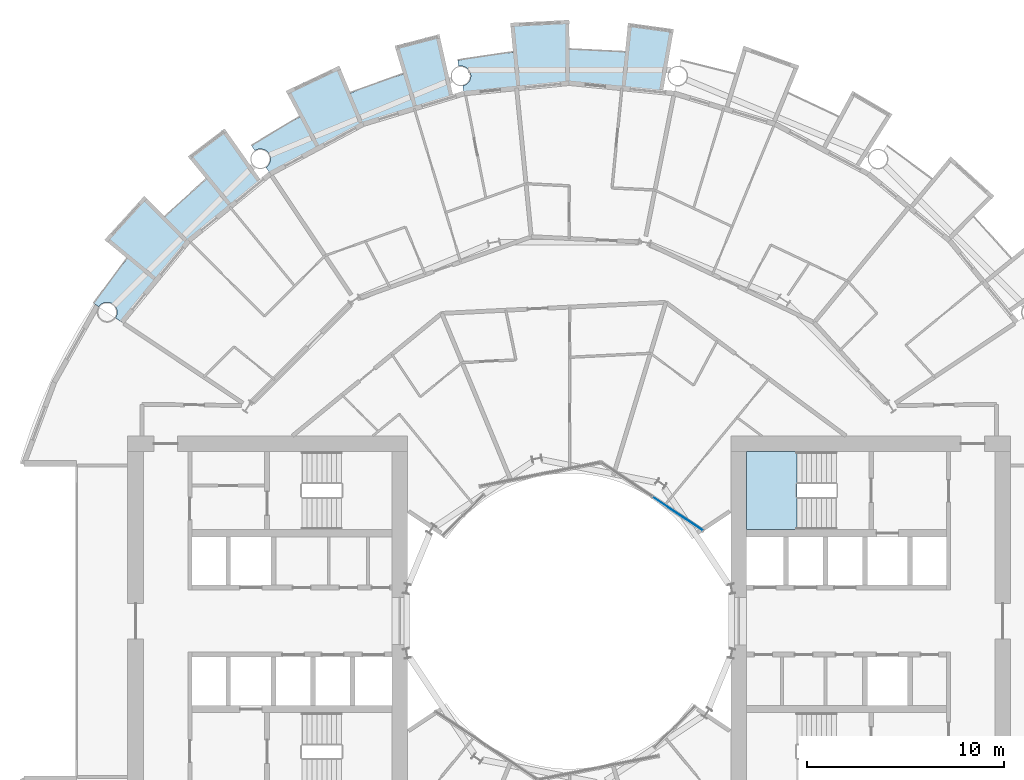
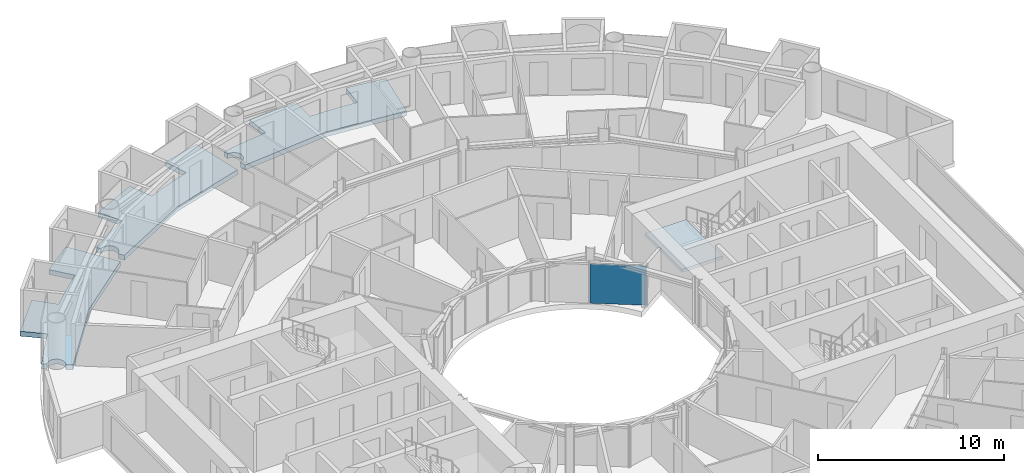
# One storey, part 11 of 25: 4 slabs, 1 plate, 2 elements without a shape of their own.
"""IFC4 building model written with IfcOpenShell, lengths in metres."""

from ifc_helpers import new_model, si_unit, direction, frame, origin, origin_2d, place, context, subcontext, project, spatial, polyline, rectangle, outline, extrude, material, layer, layer_set, type_object, element, aggregate, save


model = new_model("IFC4")

# Units and contexts
model_context = context("Model", 3, precision=1e-05, world=origin(), true_north=direction((0.0, 1.0)))
body_context = subcontext(model_context, "Body", "Model", "MODEL_VIEW")
ifc_project = project(units=[si_unit("LENGTHUNIT", "METRE"), si_unit("AREAUNIT", "SQUARE_METRE"), si_unit("VOLUMEUNIT", "CUBIC_METRE"), si_unit("PLANEANGLEUNIT", "RADIAN"), si_unit("MASSUNIT", "GRAM", prefix="KILO")], contexts=[model_context])

# Site, building, storey
site_placement = place(None, origin())
site = spatial("IfcSite", under=ifc_project, at=site_placement, CompositionType="ELEMENT")
building_placement = place(site_placement, origin())
building = spatial("IfcBuilding", under=site, at=building_placement, Name="Maasbend Ring Residences", CompositionType="ELEMENT")
storey_placement = place(building_placement, frame((0.0, 0.0, 41.10009765625)))
storey = spatial("IfcBuildingStorey", under=building, at=storey_placement, Name="L11", CompositionType="ELEMENT", Elevation=41.10009765625)

# Stair, slab
ifc_material_1 = material(Name="Concrete C40/50", Category="concrete")
stair_type = type_object("IfcStairType", Name="CORE STAIR 18 RISERS", PredefinedType="HALF_TURN_STAIR", material=ifc_material_1)
stair_placement = place(storey_placement, origin())
stair = element("IfcStair", 1, at=stair_placement, inside=storey, type_object=stair_type, Name="L11 Exit stair ST-E1", PredefinedType="HALF_TURN_STAIR")
ifc_material_2 = material(Name="Concrete C40/50", Category="concrete")
ifc_layer_1 = layer(ifc_material_2, 0.199951171875)
ifc_layer_set_1 = layer_set([ifc_layer_1], Name="Concrete C40/50")
slab_type_1 = type_object("IfcSlabType", Name="CORE STAIR LANDING 200", PredefinedType="LANDING", material=ifc_layer_set_1)
slab_1_placement = place(storey_placement, frame((0.0, 0.0, 1.324951171875)))
slab_1 = element("IfcSlab", 2, at=slab_1_placement, type_object=slab_type_1, Name="ST-E1 landing 1", PredefinedType="LANDING", context=body_context, shape_type="SweptSolid", body=[
    extrude(outline(polyline([(11.550048828125, 8.60009765625), (9.0, 8.60009765625), (9.0, 4.64990234375), (11.550048828125, 4.64990234375), (11.550048828125, 8.60009765625)])), origin(), (0.0, 0.0, 1.0), 0.199951171875),
])
aggregate(stair, [slab_1])

# Curtain wall, plate
ifc_material_3 = material(Name="Aluminium and clear glass", Category="aluminium")
ifc_layer_2 = layer(ifc_material_3, 0.179931640625)
ifc_layer_set_2 = layer_set([ifc_layer_2], Name="CW-W")
curtain_wall_type = type_object("IfcCurtainWallType", Name="CW-W", PredefinedType="NOTDEFINED", material=ifc_layer_set_2)
curtain_wall_placement = place(storey_placement, origin())
curtain_wall = element("IfcCurtainWall", 3, at=curtain_wall_placement, inside=storey, type_object=curtain_wall_type, Name="Well curtain wall N1", PredefinedType="NOTDEFINED")
ifc_material_4 = material(Name="Glass clear laminated", Category="glass")
ifc_layer_3 = layer(ifc_material_4, 0.031982421875)
ifc_layer_set_3 = layer_set([ifc_layer_3], Name="CWP-W")
plate_type = type_object("IfcPlateType", Name="CWP-W", PredefinedType="CURTAIN_PANEL", material=ifc_layer_set_3)
plate_placement = place(storey_placement, frame((5.51123046875, 5.44580078125, -0.000244140625), z_axis=(0.0, 0.0, 1.0), x_axis=(-0.831469612303, 0.55557023302, 0.0)))
plate = element("IfcPlate", 4, at=plate_placement, type_object=plate_type, Name="Glass panel well face", PredefinedType="CURTAIN_PANEL", context=body_context, shape_type="SweptSolid", body=[
    extrude(rectangle(XDim=3.053955078125, YDim=0.031982421875, at=origin_2d()), origin(), (0.0, 0.0, 1.0), 2.580078125),
])
aggregate(curtain_wall, [plate])

# Slabs
ifc_material_5 = material(Name="Concrete C40/50", Category="concrete")
ifc_layer_4 = layer(ifc_material_5, 0.199951171875)
ifc_layer_set_4 = layer_set([ifc_layer_4], Name="Concrete C40/50")
slab_type_2 = type_object("IfcSlabType", Name="SL-LOGGIA", PredefinedType="FLOOR", material=ifc_layer_set_4)
slab_2_placement = place(storey_placement, frame((0.0, 0.0, -0.35009765625)))
element("IfcSlab", 5, at=slab_2_placement, inside=storey, type_object=slab_type_2, Name="Loggia floor 1", PredefinedType="FLOOR", context=body_context, shape_type="SweptSolid", body=[
    extrude(outline(polyline([(-14.5, 25.114990234375), (-13.6708984375, 25.574951171875), (-13.6708984375, 25.575927734375), (-13.6708984375, 25.575927734375), (-13.6708984375, 25.575927734375), (-13.6708984375, 25.575927734375), (-13.6708984375, 25.575927734375), (-13.6708984375, 25.575927734375), (-13.6708984375, 25.575927734375), (-13.6708984375, 25.575927734375), (-13.6708984375, 25.575927734375), (-13.6708984375, 25.575927734375), (-13.6708984375, 25.575927734375), (-13.6708984375, 25.575927734375), (-13.6708984375, 25.575927734375), (-13.6708984375, 25.575927734375), (-13.6708984375, 25.575927734375), (-13.6708984375, 25.575927734375), (-14.3779296875, 26.89892578125), (-14.3779296875, 26.89892578125), (-14.3779296875, 26.89892578125), (-11.672119140625, 28.177978515625), (-11.672119140625, 28.177978515625), (-11.672119140625, 28.177978515625), (-11.097900390625, 26.79296875), (-11.097900390625, 26.79296875), (-11.097900390625, 26.79296875), (-11.097900390625, 26.79296875), (-11.097900390625, 26.79296875), (-11.097900390625, 26.79296875), (-11.097900390625, 26.79296875), (-11.097900390625, 26.79296875), (-11.097900390625, 26.79296875), (-11.097900390625, 26.79296875), (-11.097900390625, 26.79296875), (-11.097900390625, 26.79296875), (-11.097900390625, 26.79296875), (-11.097900390625, 26.79296875), (-11.096923828125, 26.79296875), (-11.096923828125, 26.79296875), (-11.096923828125, 26.79296875), (-10.215087890625, 27.14111328125), (-10.215087890625, 27.14111328125), (-9.322021484375, 27.4609375), (-9.322021484375, 27.4609375), (-8.4189453125, 27.7509765625), (-8.4189453125, 27.7509765625), (-8.4189453125, 27.7509765625), (-8.4189453125, 27.7509765625), (-8.4189453125, 27.7509765625), (-8.4189453125, 27.7509765625), (-8.41796875, 27.7509765625), (-8.41796875, 27.7509765625), (-8.41796875, 27.7509765625), (-8.41796875, 27.7509765625), (-8.41796875, 27.7509765625), (-8.41796875, 27.751953125), (-8.41796875, 27.751953125), (-8.41796875, 27.751953125), (-8.41796875, 27.751953125), (-8.41796875, 27.751953125), (-8.41796875, 27.751953125), (-8.85400390625, 29.18701171875), (-8.85400390625, 29.18701171875), (-8.85400390625, 29.18701171875), (-6.593994140625, 29.779052734375), (-6.593994140625, 29.779052734375), (-6.593994140625, 29.779052734375), (-5.89111328125, 26.60400390625), (-5.89111328125, 26.60400390625), (-5.89111328125, 26.60400390625), (-7.886962890625, 25.9990234375), (-10.447021484375, 25.221923828125), (-10.447021484375, 25.221923828125), (-10.447021484375, 25.221923828125), (-12.806884765625, 23.9609375), (-15.1669921875, 22.698974609375), (-15.1669921875, 22.698974609375), (-15.1669921875, 22.698974609375), (-15.385009765625, 23.02490234375), (-15.375, 23.031982421875), (-15.364013671875, 23.0390625), (-15.35498046875, 23.047119140625), (-15.344970703125, 23.054931640625), (-15.3349609375, 23.06298828125), (-15.325927734375, 23.071044921875), (-15.31689453125, 23.0791015625), (-15.30810546875, 23.087890625), (-15.299072265625, 23.096923828125), (-15.291015625, 23.10595703125), (-15.281982421875, 23.115966796875), (-15.27392578125, 23.125), (-15.26708984375, 23.135009765625), (-15.259033203125, 23.14501953125), (-15.251953125, 23.155029296875), (-15.2451171875, 23.1650390625), (-15.238037109375, 23.176025390625), (-15.23095703125, 23.18603515625), (-15.22509765625, 23.197021484375), (-15.218994140625, 23.2080078125), (-15.212890625, 23.218994140625), (-15.2080078125, 23.22998046875), (-15.202880859375, 23.241943359375), (-15.197998046875, 23.2529296875), (-15.193115234375, 23.264892578125), (-15.18896484375, 23.27587890625), (-15.18505859375, 23.2880859375), (-15.180908203125, 23.300048828125), (-15.177978515625, 23.31201171875), (-15.174072265625, 23.323974609375), (-15.1708984375, 23.3359375), (-15.1689453125, 23.347900390625), (-15.1669921875, 23.361083984375), (-15.1650390625, 23.373046875), (-15.1630859375, 23.385009765625), (-15.162109375, 23.39794921875), (-15.159912109375, 23.409912109375), (-15.159912109375, 23.422119140625), (-15.158935546875, 23.43505859375), (-15.158935546875, 23.447021484375), (-15.158935546875, 23.4599609375), (-15.159912109375, 23.471923828125), (-15.159912109375, 23.485107421875), (-15.162109375, 23.4970703125), (-15.1630859375, 23.510009765625), (-15.1650390625, 23.52197265625), (-15.1669921875, 23.533935546875), (-15.1689453125, 23.547119140625), (-15.1708984375, 23.55908203125), (-15.174072265625, 23.571044921875), (-15.177978515625, 23.5830078125), (-15.180908203125, 23.594970703125), (-15.18505859375, 23.60693359375), (-15.18896484375, 23.618896484375), (-15.193115234375, 23.6298828125), (-15.197998046875, 23.64208984375), (-15.202880859375, 23.653076171875), (-15.2080078125, 23.6650390625), (-15.212890625, 23.676025390625), (-15.218994140625, 23.68701171875), (-15.22509765625, 23.697998046875), (-15.23095703125, 23.708984375), (-15.238037109375, 23.718994140625), (-15.2451171875, 23.72998046875), (-15.251953125, 23.739990234375), (-15.259033203125, 23.75), (-15.26708984375, 23.760009765625), (-15.27392578125, 23.77001953125), (-15.281982421875, 23.779052734375), (-15.291015625, 23.7890625), (-15.299072265625, 23.798095703125), (-15.30810546875, 23.806884765625), (-15.31689453125, 23.81494140625), (-15.325927734375, 23.823974609375), (-15.3349609375, 23.83203125), (-15.344970703125, 23.840087890625), (-15.35498046875, 23.847900390625), (-15.364013671875, 23.85498046875), (-15.375, 23.863037109375), (-15.385009765625, 23.8701171875), (-15.39501953125, 23.876953125), (-15.406005859375, 23.883056640625), (-15.4169921875, 23.888916015625), (-15.427978515625, 23.89501953125), (-15.43896484375, 23.90087890625), (-15.449951171875, 23.906982421875), (-15.4609375, 23.912109375), (-15.472900390625, 23.9169921875), (-15.48388671875, 23.9208984375), (-15.49609375, 23.926025390625), (-15.508056640625, 23.929931640625), (-15.52001953125, 23.93408203125), (-15.531982421875, 23.93701171875), (-15.5439453125, 23.93994140625), (-15.555908203125, 23.943115234375), (-15.568115234375, 23.946044921875), (-15.580078125, 23.947998046875), (-15.593017578125, 23.949951171875), (-15.60498046875, 23.951904296875), (-15.616943359375, 23.952880859375), (-15.6298828125, 23.9541015625), (-15.64208984375, 23.955078125), (-15.655029296875, 23.955078125), (-15.6669921875, 23.955078125), (-15.679931640625, 23.955078125), (-15.69189453125, 23.955078125), (-15.7041015625, 23.9541015625), (-15.717041015625, 23.952880859375), (-15.72900390625, 23.951904296875), (-15.741943359375, 23.949951171875), (-15.75390625, 23.947998046875), (-15.76611328125, 23.946044921875), (-15.778076171875, 23.943115234375), (-15.791015625, 23.93994140625), (-15.802978515625, 23.93701171875), (-15.81494140625, 23.93408203125), (-15.825927734375, 23.929931640625), (-15.837890625, 23.926025390625), (-15.85009765625, 23.9208984375), (-15.862060546875, 23.9169921875), (-15.873046875, 23.912109375), (-15.884033203125, 23.906982421875), (-15.89599609375, 23.90087890625), (-15.906982421875, 23.89501953125), (-15.9169921875, 23.888916015625), (-15.927978515625, 23.883056640625), (-15.93896484375, 23.876953125), (-15.948974609375, 23.8701171875), (-16.112060546875, 24.113037109375), (-16.112060546875, 24.113037109375), (-16.112060546875, 24.113037109375), (-15.31396484375, 24.626953125), (-15.31396484375, 24.626953125), (-14.5, 25.114990234375), (-14.5, 25.114990234375)])), origin(), (0.0, 0.0, 1.0), 0.320068359375),
])
slab_3_placement = place(storey_placement, frame((0.0, 0.0, -0.35009765625)))
element("IfcSlab", 6, at=slab_3_placement, inside=storey, type_object=slab_type_2, Name="Loggia floor 3", PredefinedType="FLOOR", context=body_context, shape_type="SweptSolid", body=[
    extrude(outline(polyline([(-3.784912109375, 28.751953125), (-2.843017578125, 28.860107421875), (-2.843017578125, 28.860107421875), (-2.843017578125, 28.860107421875), (-2.843017578125, 28.860107421875), (-2.843017578125, 28.860107421875), (-2.843017578125, 28.860107421875), (-2.843017578125, 28.860107421875), (-2.843017578125, 28.860107421875), (-2.843017578125, 28.860107421875), (-2.843017578125, 28.861083984375), (-2.843017578125, 28.861083984375), (-2.843017578125, 28.861083984375), (-2.843017578125, 28.861083984375), (-2.843017578125, 28.861083984375), (-2.843017578125, 28.861083984375), (-2.843017578125, 28.861083984375), (-2.843017578125, 28.861083984375), (-2.989990234375, 30.35302734375), (-2.989990234375, 30.35302734375), (-2.989990234375, 30.35302734375), (0.0, 30.5), (0.0, 30.5), (0.0, 30.5), (0.0, 29.0), (0.0, 29.0), (0.0, 29.0), (0.0, 29.0), (0.0, 29.0), (0.0, 29.0), (0.0, 29.0), (0.0, 29.0), (0.0, 29.0), (0.0, 29.0), (0.0, 29.0), (0.0, 29.0), (0.0, 29.0), (0.0, 29.0), (0.0, 29.0), (0.0, 29.0), (0.0, 29.0), (0.948974609375, 28.98388671875), (0.948974609375, 28.98388671875), (1.89697265625, 28.93798828125), (1.89697265625, 28.93798828125), (2.842041015625, 28.860107421875), (2.842041015625, 28.860107421875), (2.842041015625, 28.860107421875), (2.842041015625, 28.860107421875), (2.842041015625, 28.860107421875), (2.842041015625, 28.860107421875), (2.842041015625, 28.860107421875), (2.842041015625, 28.860107421875), (2.842041015625, 28.861083984375), (2.842041015625, 28.861083984375), (2.842041015625, 28.861083984375), (2.842041015625, 28.861083984375), (2.842041015625, 28.861083984375), (2.843017578125, 28.861083984375), (2.843017578125, 28.861083984375), (2.843017578125, 28.861083984375), (2.843017578125, 28.861083984375), (2.989990234375, 30.35302734375), (2.989990234375, 30.35302734375), (2.989990234375, 30.35302734375), (5.303955078125, 30.034912109375), (5.303955078125, 30.034912109375), (5.303955078125, 30.034912109375), (4.739013671875, 26.8330078125), (4.739013671875, 26.8330078125), (4.739013671875, 26.8330078125), (2.6630859375, 27.0380859375), (0.0, 27.300048828125), (0.0, 27.300048828125), (0.0, 27.300048828125), (-2.6630859375, 27.0380859375), (-5.325927734375, 26.77490234375), (-5.325927734375, 26.77490234375), (-5.325927734375, 26.77490234375), (-5.402099609375, 27.159912109375), (-5.402099609375, 27.159912109375), (-5.389892578125, 27.162109375), (-5.3779296875, 27.1650390625), (-5.365966796875, 27.1689453125), (-5.35400390625, 27.172119140625), (-5.342041015625, 27.176025390625), (-5.330078125, 27.179931640625), (-5.319091796875, 27.18408203125), (-5.306884765625, 27.18896484375), (-5.2958984375, 27.194091796875), (-5.283935546875, 27.198974609375), (-5.27294921875, 27.2041015625), (-5.261962890625, 27.2099609375), (-5.2509765625, 27.216064453125), (-5.239990234375, 27.221923828125), (-5.22998046875, 27.22900390625), (-5.218994140625, 27.236083984375), (-5.208984375, 27.242919921875), (-5.198974609375, 27.25), (-5.18896484375, 27.258056640625), (-5.178955078125, 27.264892578125), (-5.169921875, 27.27294921875), (-5.159912109375, 27.281982421875), (-5.15087890625, 27.2900390625), (-5.14208984375, 27.299072265625), (-5.134033203125, 27.30810546875), (-5.125, 27.31689453125), (-5.116943359375, 27.325927734375), (-5.10888671875, 27.3359375), (-5.10107421875, 27.345947265625), (-5.093017578125, 27.35498046875), (-5.0859375, 27.365966796875), (-5.0791015625, 27.3759765625), (-5.072021484375, 27.385986328125), (-5.06591796875, 27.39697265625), (-5.05908203125, 27.407958984375), (-5.052978515625, 27.4189453125), (-5.048095703125, 27.429931640625), (-5.0419921875, 27.44091796875), (-5.037109375, 27.451904296875), (-5.031982421875, 27.464111328125), (-5.028076171875, 27.47509765625), (-5.02294921875, 27.487060546875), (-5.01904296875, 27.4990234375), (-5.014892578125, 27.510986328125), (-5.011962890625, 27.52294921875), (-5.009033203125, 27.534912109375), (-5.006103515625, 27.547119140625), (-5.0029296875, 27.55908203125), (-5.0009765625, 27.571044921875), (-4.9990234375, 27.583984375), (-4.9970703125, 27.595947265625), (-4.99609375, 27.60791015625), (-4.9951171875, 27.62109375), (-4.993896484375, 27.633056640625), (-4.993896484375, 27.64599609375), (-4.993896484375, 27.657958984375), (-4.993896484375, 27.6708984375), (-4.993896484375, 27.68310546875), (-4.9951171875, 27.695068359375), (-4.99609375, 27.7080078125), (-4.9970703125, 27.719970703125), (-4.9990234375, 27.73291015625), (-5.0009765625, 27.7451171875), (-5.0029296875, 27.757080078125), (-5.006103515625, 27.76904296875), (-5.009033203125, 27.781982421875), (-5.011962890625, 27.7939453125), (-5.014892578125, 27.805908203125), (-5.01904296875, 27.81689453125), (-5.02294921875, 27.8291015625), (-5.028076171875, 27.841064453125), (-5.031982421875, 27.85302734375), (-5.037109375, 27.864013671875), (-5.0419921875, 27.875), (-5.048095703125, 27.886962890625), (-5.052978515625, 27.89794921875), (-5.05908203125, 27.907958984375), (-5.06591796875, 27.9189453125), (-5.072021484375, 27.929931640625), (-5.0791015625, 27.93994140625), (-5.0859375, 27.950927734375), (-5.093017578125, 27.9609375), (-5.10107421875, 27.970947265625), (-5.10888671875, 27.97998046875), (-5.116943359375, 27.989990234375), (-5.125, 27.9990234375), (-5.134033203125, 28.008056640625), (-5.14208984375, 28.01708984375), (-5.15087890625, 28.02587890625), (-5.159912109375, 28.034912109375), (-5.169921875, 28.04296875), (-5.178955078125, 28.051025390625), (-5.18896484375, 28.05908203125), (-5.198974609375, 28.06591796875), (-5.208984375, 28.072998046875), (-5.218994140625, 28.080078125), (-5.22998046875, 28.0869140625), (-5.239990234375, 28.093994140625), (-5.2509765625, 28.10009765625), (-5.261962890625, 28.10595703125), (-5.27294921875, 28.112060546875), (-5.283935546875, 28.116943359375), (-5.2958984375, 28.123046875), (-5.306884765625, 28.126953125), (-5.319091796875, 28.132080078125), (-5.330078125, 28.135986328125), (-5.342041015625, 28.139892578125), (-5.35400390625, 28.14404296875), (-5.365966796875, 28.14794921875), (-5.3779296875, 28.15087890625), (-5.389892578125, 28.154052734375), (-5.402099609375, 28.156005859375), (-5.4150390625, 28.158935546875), (-5.427001953125, 28.160888671875), (-5.43896484375, 28.162109375), (-5.451904296875, 28.1640625), (-5.464111328125, 28.1650390625), (-5.47705078125, 28.1650390625), (-5.489013671875, 28.166015625), (-5.501953125, 28.166015625), (-5.513916015625, 28.166015625), (-5.52587890625, 28.1650390625), (-5.5390625, 28.1650390625), (-5.551025390625, 28.1640625), (-5.56396484375, 28.162109375), (-5.575927734375, 28.160888671875), (-5.587890625, 28.158935546875), (-5.60107421875, 28.156005859375), (-5.60107421875, 28.156005859375), (-5.657958984375, 28.443115234375), (-5.657958984375, 28.443115234375), (-5.657958984375, 28.443115234375), (-4.72412109375, 28.613037109375), (-4.72412109375, 28.613037109375), (-3.784912109375, 28.751953125), (-3.784912109375, 28.751953125)])), origin(), (0.0, 0.0, 1.0), 0.320068359375),
])
slab_4_placement = place(storey_placement, frame((0.0, 0.0, -0.35009765625)))
element("IfcSlab", 7, at=slab_4_placement, inside=storey, type_object=slab_type_2, Name="Loggia floor 5", PredefinedType="FLOOR", context=body_context, shape_type="SweptSolid", body=[
    extrude(outline(polyline([(-23.007080078125, 17.654052734375), (-22.41796875, 18.39697265625), (-22.41796875, 18.39697265625), (-22.41796875, 18.39697265625), (-22.41796875, 18.39697265625), (-22.41796875, 18.39697265625), (-22.41796875, 18.39697265625), (-22.41796875, 18.39697265625), (-22.41796875, 18.39697265625), (-22.41796875, 18.39697265625), (-22.41796875, 18.39697265625), (-22.41796875, 18.39697265625), (-22.41796875, 18.39794921875), (-22.41796875, 18.39794921875), (-22.41796875, 18.39794921875), (-22.41796875, 18.39794921875), (-22.41796875, 18.39794921875), (-22.41796875, 18.39794921875), (-23.576904296875, 19.34912109375), (-23.576904296875, 19.34912109375), (-23.576904296875, 19.34912109375), (-21.56689453125, 21.56689453125), (-21.56689453125, 21.56689453125), (-21.56689453125, 21.56689453125), (-20.506103515625, 20.506103515625), (-20.506103515625, 20.506103515625), (-20.506103515625, 20.506103515625), (-20.506103515625, 20.506103515625), (-20.506103515625, 20.506103515625), (-20.506103515625, 20.506103515625), (-20.506103515625, 20.506103515625), (-20.506103515625, 20.506103515625), (-20.506103515625, 20.506103515625), (-20.506103515625, 20.506103515625), (-20.506103515625, 20.506103515625), (-20.506103515625, 20.506103515625), (-20.506103515625, 20.506103515625), (-20.506103515625, 20.506103515625), (-20.506103515625, 20.506103515625), (-20.506103515625, 20.506103515625), (-20.506103515625, 20.506103515625), (-19.823974609375, 21.166015625), (-19.823974609375, 21.166015625), (-19.12109375, 21.802978515625), (-19.12109375, 21.802978515625), (-18.39794921875, 22.4169921875), (-18.39794921875, 22.4169921875), (-18.39794921875, 22.4169921875), (-18.39794921875, 22.4169921875), (-18.39794921875, 22.4169921875), (-18.39794921875, 22.4169921875), (-18.39794921875, 22.4169921875), (-18.39794921875, 22.4169921875), (-18.39794921875, 22.4169921875), (-18.39794921875, 22.4169921875), (-18.39794921875, 22.4169921875), (-18.39794921875, 22.4169921875), (-18.39794921875, 22.41796875), (-18.39794921875, 22.41796875), (-18.39794921875, 22.41796875), (-18.39794921875, 22.41796875), (-18.39794921875, 22.41796875), (-19.34912109375, 23.576904296875), (-19.34912109375, 23.576904296875), (-19.34912109375, 23.576904296875), (-17.488037109375, 24.989013671875), (-17.488037109375, 24.989013671875), (-17.488037109375, 24.989013671875), (-15.623046875, 22.324951171875), (-15.623046875, 22.324951171875), (-15.623046875, 22.324951171875), (-17.236083984375, 21.001953125), (-19.303955078125, 19.303955078125), (-19.303955078125, 19.303955078125), (-19.303955078125, 19.303955078125), (-21.001953125, 17.236083984375), (-22.698974609375, 15.1669921875), (-22.698974609375, 15.1669921875), (-22.698974609375, 15.1669921875), (-23.02490234375, 15.385009765625), (-23.02490234375, 15.385009765625), (-23.01806640625, 15.39501953125), (-23.011962890625, 15.406005859375), (-23.0048828125, 15.4169921875), (-22.9990234375, 15.427978515625), (-22.993896484375, 15.43896484375), (-22.988037109375, 15.449951171875), (-22.98291015625, 15.4609375), (-22.97802734375, 15.472900390625), (-22.972900390625, 15.48388671875), (-22.968994140625, 15.49609375), (-22.965087890625, 15.508056640625), (-22.9609375, 15.52001953125), (-22.9580078125, 15.531982421875), (-22.955078125, 15.5439453125), (-22.951904296875, 15.555908203125), (-22.948974609375, 15.568115234375), (-22.947021484375, 15.580078125), (-22.945068359375, 15.593017578125), (-22.943115234375, 15.60498046875), (-22.94189453125, 15.616943359375), (-22.94091796875, 15.6298828125), (-22.93994140625, 15.64208984375), (-22.93994140625, 15.655029296875), (-22.93896484375, 15.6669921875), (-22.93994140625, 15.679931640625), (-22.93994140625, 15.69189453125), (-22.94091796875, 15.7041015625), (-22.94189453125, 15.717041015625), (-22.943115234375, 15.72900390625), (-22.945068359375, 15.741943359375), (-22.947021484375, 15.75390625), (-22.948974609375, 15.76611328125), (-22.951904296875, 15.778076171875), (-22.955078125, 15.791015625), (-22.9580078125, 15.802978515625), (-22.9609375, 15.81494140625), (-22.965087890625, 15.825927734375), (-22.968994140625, 15.837890625), (-22.972900390625, 15.85009765625), (-22.97802734375, 15.862060546875), (-22.98291015625, 15.873046875), (-22.988037109375, 15.884033203125), (-22.993896484375, 15.89599609375), (-22.9990234375, 15.906982421875), (-23.0048828125, 15.9169921875), (-23.011962890625, 15.927978515625), (-23.01806640625, 15.93896484375), (-23.02490234375, 15.948974609375), (-23.031982421875, 15.9599609375), (-23.0390625, 15.969970703125), (-23.047119140625, 15.97998046875), (-23.054931640625, 15.989013671875), (-23.06298828125, 15.9990234375), (-23.071044921875, 16.008056640625), (-23.0791015625, 16.01708984375), (-23.087890625, 16.02587890625), (-23.096923828125, 16.034912109375), (-23.10595703125, 16.0439453125), (-23.115966796875, 16.052001953125), (-23.125, 16.06005859375), (-23.135009765625, 16.068115234375), (-23.14501953125, 16.074951171875), (-23.155029296875, 16.08203125), (-23.1650390625, 16.089111328125), (-23.176025390625, 16.095947265625), (-23.18603515625, 16.10302734375), (-23.197021484375, 16.10888671875), (-23.2080078125, 16.114990234375), (-23.218994140625, 16.12109375), (-23.22998046875, 16.1259765625), (-23.241943359375, 16.132080078125), (-23.2529296875, 16.135986328125), (-23.264892578125, 16.14111328125), (-23.27587890625, 16.14501953125), (-23.2880859375, 16.14892578125), (-23.300048828125, 16.153076171875), (-23.31201171875, 16.156982421875), (-23.323974609375, 16.159912109375), (-23.3359375, 16.1630859375), (-23.347900390625, 16.1650390625), (-23.361083984375, 16.16796875), (-23.373046875, 16.169921875), (-23.385009765625, 16.1708984375), (-23.39794921875, 16.173095703125), (-23.409912109375, 16.174072265625), (-23.422119140625, 16.174072265625), (-23.43505859375, 16.175048828125), (-23.447021484375, 16.175048828125), (-23.4599609375, 16.175048828125), (-23.471923828125, 16.174072265625), (-23.485107421875, 16.174072265625), (-23.4970703125, 16.173095703125), (-23.510009765625, 16.1708984375), (-23.52197265625, 16.169921875), (-23.533935546875, 16.16796875), (-23.547119140625, 16.1650390625), (-23.55908203125, 16.1630859375), (-23.571044921875, 16.159912109375), (-23.5830078125, 16.156982421875), (-23.594970703125, 16.153076171875), (-23.60693359375, 16.14892578125), (-23.618896484375, 16.14501953125), (-23.6298828125, 16.14111328125), (-23.64208984375, 16.135986328125), (-23.653076171875, 16.132080078125), (-23.6650390625, 16.1259765625), (-23.676025390625, 16.12109375), (-23.68701171875, 16.114990234375), (-23.697998046875, 16.10888671875), (-23.708984375, 16.10302734375), (-23.718994140625, 16.095947265625), (-23.72998046875, 16.089111328125), (-23.739990234375, 16.08203125), (-23.75, 16.074951171875), (-23.760009765625, 16.068115234375), (-23.77001953125, 16.06005859375), (-23.779052734375, 16.052001953125), (-23.7890625, 16.0439453125), (-23.798095703125, 16.034912109375), (-23.806884765625, 16.02587890625), (-23.81494140625, 16.01708984375), (-23.823974609375, 16.008056640625), (-23.83203125, 15.9990234375), (-23.840087890625, 15.989013671875), (-23.847900390625, 15.97998046875), (-23.85498046875, 15.969970703125), (-23.863037109375, 15.9599609375), (-23.8701171875, 15.948974609375), (-23.8701171875, 15.948974609375), (-24.113037109375, 16.112060546875), (-24.113037109375, 16.112060546875), (-24.113037109375, 16.112060546875), (-23.572998046875, 16.89208984375), (-23.572998046875, 16.89208984375), (-23.007080078125, 17.654052734375), (-23.007080078125, 17.654052734375)])), origin(), (0.0, 0.0, 1.0), 0.320068359375),
])

save(model, "model.ifc")
